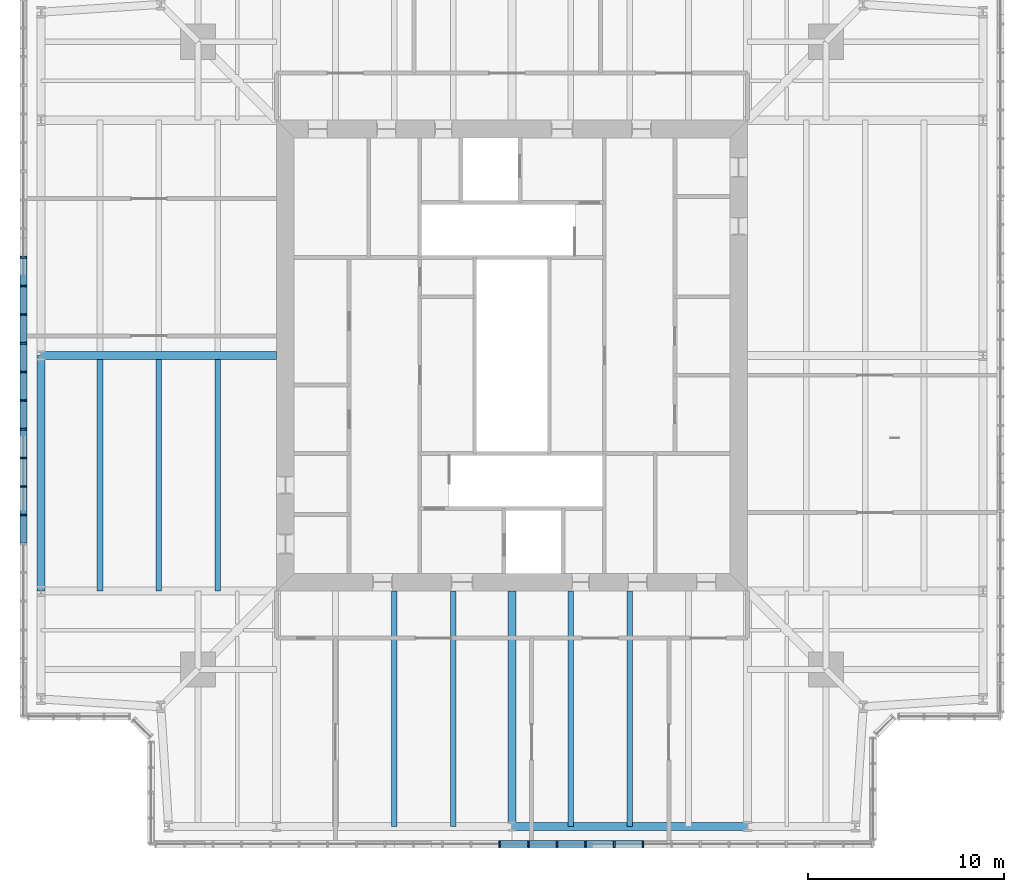
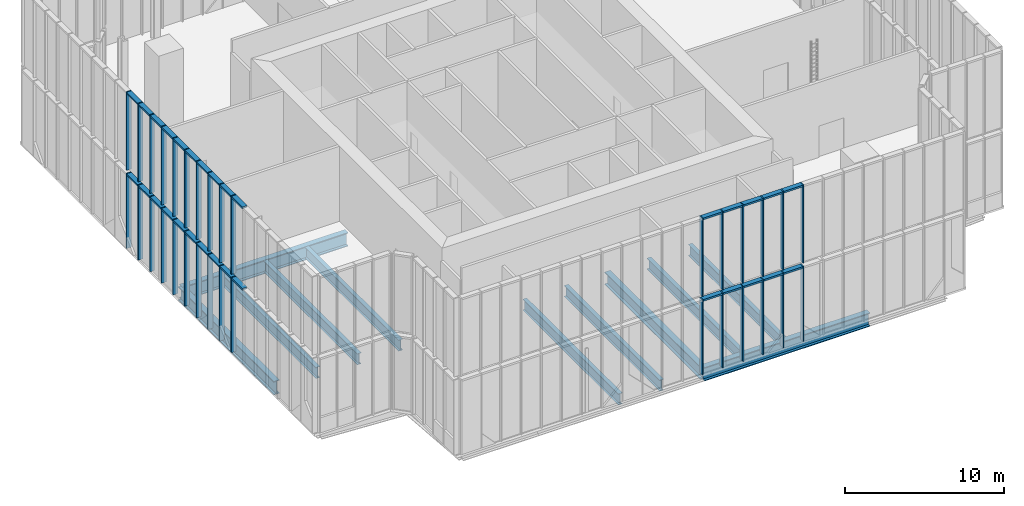
# One storey, part 4 of 25: 62 members, 11 beams, 4 elements without a shape of their own.
"""IFC4 building model written with IfcOpenShell, lengths in metres."""

from ifc_helpers import new_model, si_unit, direction, frame, origin, origin_2d, place, context, subcontext, project, spatial, rectangle, i_section, extrude, material, material_profile, profile_set, type_object, element, aggregate, save


model = new_model("IFC4")

# Units and contexts
model_context = context("Model", 3, precision=1e-05, world=origin(), true_north=direction((0.0, 1.0)))
body_context = subcontext(model_context, "Body", "Model", "MODEL_VIEW")
ifc_project = project(units=[si_unit("LENGTHUNIT", "METRE"), si_unit("AREAUNIT", "SQUARE_METRE"), si_unit("VOLUMEUNIT", "CUBIC_METRE"), si_unit("PLANEANGLEUNIT", "RADIAN"), si_unit("MASSUNIT", "GRAM", prefix="KILO")], contexts=[model_context])

# Site, building, storey
site_placement = place(None, origin())
site = spatial("IfcSite", under=ifc_project, at=site_placement, CompositionType="ELEMENT")
building_placement = place(site_placement, origin())
building = spatial("IfcBuilding", under=site, at=building_placement, Name="Fenwick Lantern Interchange", CompositionType="ELEMENT")
storey_placement = place(building_placement, frame((0.0, 0.0, 307.800048828125)))
storey = spatial("IfcBuildingStorey", under=building, at=storey_placement, Name="L74", CompositionType="ELEMENT", Elevation=307.800048828125)

# Beams
ifc_material_1 = material(Name="Steel ASTM A992 Grade 50", Category="steel")
ifc_material_profile_1 = material_profile(ifc_material_1, i_section(OverallWidth=0.408935546875, OverallDepth=1.04150390625, WebThickness=0.031005859375, FlangeThickness=0.055908203125, at=origin_2d()), Name="W40X397")
ifc_profile_set_1 = profile_set([ifc_material_profile_1], Name="Steel ASTM A992 Grade 50")
beam_type_1 = type_object("IfcBeamType", Name="EDGE BEAM W40X397", PredefinedType="SPANDREL", material=ifc_profile_set_1)
for number, where, z_axis, x_axis, name in (
    (1, (25.0, 1.0, -0.720703125), (1.0, 0.0, 0.0), (0.0, 1.0, 0.0), "L74/FR/S/EB3"),
    (2, (1.0, 25.0, -0.720703125), (0.0, -1.0, 0.0), (1.0, 0.0, 0.0), "L74/FR/W/EB3"),
):
    element("IfcBeam", number, at=place(storey_placement, frame(where, z_axis=z_axis, x_axis=x_axis)), inside=storey, type_object=beam_type_1, Name=name, PredefinedType="SPANDREL", context=body_context, shape_type="SweptSolid", body=[
        extrude(i_section(OverallWidth=0.408935546875, OverallDepth=1.04150390625, WebThickness=0.031005859375, FlangeThickness=0.055908203125, at=origin_2d()), origin(), (0.0, 0.0, 1.0), 12.0),
    ])
ifc_material_profile_2 = material_profile(ifc_material_1, i_section(OverallWidth=0.2919921875, OverallDepth=0.845703125, WebThickness=0.015380859375, FlangeThickness=0.0244140625, at=origin_2d()), Name="W33X141")
ifc_profile_set_2 = profile_set([ifc_material_profile_2], Name="Steel ASTM A992 Grade 50")
beam_type_2 = type_object("IfcBeamType", Name="FLOOR BEAM W33X141", PredefinedType="BEAM", material=ifc_profile_set_2)
for number, where, z_axis, x_axis, name in (
    (3, (19.0, 1.0, -0.623046875), (0.0, 1.0, 0.0), (-1.0, 0.0, 0.0), "L74/FR/S/R03"),
    (4, (22.0, 1.0, -0.623046875), (0.0, 1.0, 0.0), (-1.0, 0.0, 0.0), "L74/FR/S/R04"),
    (5, (28.0, 1.0, -0.623046875), (0.0, 1.0, 0.0), (-1.0, 0.0, 0.0), "L74/FR/S/R06"),
    (6, (31.0, 1.0, -0.623046875), (0.0, 1.0, 0.0), (-1.0, 0.0, 0.0), "L74/FR/S/R07"),
):
    element("IfcBeam", number, at=place(storey_placement, frame(where, z_axis=z_axis, x_axis=x_axis)), inside=storey, type_object=beam_type_2, Name=name, PredefinedType="BEAM", context=body_context, shape_type="SweptSolid", body=[
        extrude(i_section(OverallWidth=0.2919921875, OverallDepth=0.845703125, WebThickness=0.015380859375, FlangeThickness=0.0244140625, at=origin_2d()), origin(), (0.0, 0.0, 1.0), 12.0),
    ])
for number, where, z_axis, x_axis, name in (
    (7, (4.0, 24.79541015625, -0.623046875), (0.0, -1.0, 0.0), (1.0, 0.0, 0.0), "L74/FR/W/B04"),
    (8, (7.0, 24.79541015625, -0.623046875), (0.0, -1.0, 0.0), (1.0, 0.0, 0.0), "L74/FR/W/B05"),
    (9, (10.0, 24.79541015625, -0.623046875), (0.0, -1.0, 0.0), (1.0, 0.0, 0.0), "L74/FR/W/B06"),
):
    element("IfcBeam", number, at=place(storey_placement, frame(where, z_axis=z_axis, x_axis=x_axis)), inside=storey, type_object=beam_type_2, Name=name, PredefinedType="BEAM", context=body_context, shape_type="SweptSolid", body=[
        extrude(i_section(OverallWidth=0.2919921875, OverallDepth=0.845703125, WebThickness=0.015380859375, FlangeThickness=0.0244140625, at=origin_2d()), origin(), (0.0, 0.0, 1.0), 11.79541015625),
    ])

# Curtain wall, members
ifc_material_2 = material(Name="Aluminium curtain wall frame", Category="aluminium")
curtain_wall_type = type_object("IfcCurtainWallType", Name="LANTERN GLAZING", PredefinedType="USERDEFINED", material=ifc_material_2)
curtain_wall_1_placement = place(storey_placement, origin())
curtain_wall_1 = element("IfcCurtainWall", 10, at=curtain_wall_1_placement, inside=storey, type_object=curtain_wall_type, Name="Lantern glazing 01", ObjectType="LANTERN GLAZING", PredefinedType="USERDEFINED")
ifc_material_3 = material(Name="Aluminium extrusion", Category="aluminium")
ifc_material_profile_3 = material_profile(ifc_material_3, rectangle(XDim=0.35009765625, YDim=0.080078125, at=origin_2d()), Name="LANTERN GLAZING MULLION 80 X 350")
ifc_profile_set_3 = profile_set([ifc_material_profile_3], Name="Aluminium extrusion")
member_type_1 = type_object("IfcMemberType", Name="LANTERN GLAZING MULLION 80 X 350", PredefinedType="MULLION", material=ifc_profile_set_3)
member_1_placement = place(storey_placement, frame((24.36962890625, 0.10009765625, 0.0), z_axis=(0.0, 0.0, 1.0), x_axis=(0.0, 1.0, 0.0)))
member_1 = element("IfcMember", 11, at=member_1_placement, type_object=member_type_1, Name="L74/CW/01/M12", PredefinedType="MULLION", context=body_context, shape_type="SweptSolid", body=[
    extrude(rectangle(XDim=0.35009765625, YDim=0.080078125, at=origin_2d()), origin(), (0.0, 0.0, 1.0), 5.75),
])
member_2_placement = place(storey_placement, frame((25.830322265625, 0.10009765625, 0.0), z_axis=(0.0, 0.0, 1.0), x_axis=(0.0, 1.0, 0.0)))
member_2 = element("IfcMember", 12, at=member_2_placement, type_object=member_type_1, Name="L74/CW/01/M13", PredefinedType="MULLION", context=body_context, shape_type="SweptSolid", body=[
    extrude(rectangle(XDim=0.35009765625, YDim=0.080078125, at=origin_2d()), origin(), (0.0, 0.0, 1.0), 5.75),
])
member_3_placement = place(storey_placement, frame((27.291259765625, 0.10009765625, 0.0), z_axis=(0.0, 0.0, 1.0), x_axis=(0.0, 1.0, 0.0)))
member_3 = element("IfcMember", 13, at=member_3_placement, type_object=member_type_1, Name="L74/CW/01/M14", PredefinedType="MULLION", context=body_context, shape_type="SweptSolid", body=[
    extrude(rectangle(XDim=0.35009765625, YDim=0.080078125, at=origin_2d()), origin(), (0.0, 0.0, 1.0), 5.75),
])
member_4_placement = place(storey_placement, frame((28.751953125, 0.10009765625, 0.0), z_axis=(0.0, 0.0, 1.0), x_axis=(0.0, 1.0, 0.0)))
member_4 = element("IfcMember", 14, at=member_4_placement, type_object=member_type_1, Name="L74/CW/01/M15", PredefinedType="MULLION", context=body_context, shape_type="SweptSolid", body=[
    extrude(rectangle(XDim=0.35009765625, YDim=0.080078125, at=origin_2d()), origin(), (0.0, 0.0, 1.0), 5.75),
])
member_5_placement = place(storey_placement, frame((30.212890625, 0.10009765625, 0.0), z_axis=(0.0, 0.0, 1.0), x_axis=(0.0, 1.0, 0.0)))
member_5 = element("IfcMember", 15, at=member_5_placement, type_object=member_type_1, Name="L74/CW/01/M16", PredefinedType="MULLION", context=body_context, shape_type="SweptSolid", body=[
    extrude(rectangle(XDim=0.35009765625, YDim=0.080078125, at=origin_2d()), origin(), (0.0, 0.0, 1.0), 5.75),
])
member_6_placement = place(storey_placement, frame((31.673583984375, 0.10009765625, 0.0), z_axis=(0.0, 0.0, 1.0), x_axis=(0.0, 1.0, 0.0)))
member_6 = element("IfcMember", 16, at=member_6_placement, type_object=member_type_1, Name="L74/CW/01/M17", PredefinedType="MULLION", context=body_context, shape_type="SweptSolid", body=[
    extrude(rectangle(XDim=0.35009765625, YDim=0.080078125, at=origin_2d()), origin(), (0.0, 0.0, 1.0), 5.75),
])

curtain_wall_2_placement = place(storey_placement, origin())
curtain_wall_2 = element("IfcCurtainWall", 17, at=curtain_wall_2_placement, inside=storey, type_object=curtain_wall_type, Name="Lantern glazing 13", ObjectType="LANTERN GLAZING", PredefinedType="USERDEFINED")
member_7_placement = place(storey_placement, frame((0.10009765625, 30.0126953125, 0.0), z_axis=(0.0, 0.0, 1.0), x_axis=(1.0, 0.0, 0.0)))
member_7 = element("IfcMember", 18, at=member_7_placement, type_object=member_type_1, Name="L74/CW/13/M09", PredefinedType="MULLION", context=body_context, shape_type="SweptSolid", body=[
    extrude(rectangle(XDim=0.35009765625, YDim=0.080078125, at=origin_2d()), origin(), (0.0, 0.0, 1.0), 5.75),
])
member_8_placement = place(storey_placement, frame((0.10009765625, 28.552001953125, 0.0), z_axis=(0.0, 0.0, 1.0), x_axis=(1.0, 0.0, 0.0)))
member_8 = element("IfcMember", 19, at=member_8_placement, type_object=member_type_1, Name="L74/CW/13/M10", PredefinedType="MULLION", context=body_context, shape_type="SweptSolid", body=[
    extrude(rectangle(XDim=0.35009765625, YDim=0.080078125, at=origin_2d()), origin(), (0.0, 0.0, 1.0), 5.75),
])
member_9_placement = place(storey_placement, frame((0.10009765625, 27.09130859375, 0.0), z_axis=(0.0, 0.0, 1.0), x_axis=(1.0, 0.0, 0.0)))
member_9 = element("IfcMember", 20, at=member_9_placement, type_object=member_type_1, Name="L74/CW/13/M11", PredefinedType="MULLION", context=body_context, shape_type="SweptSolid", body=[
    extrude(rectangle(XDim=0.35009765625, YDim=0.080078125, at=origin_2d()), origin(), (0.0, 0.0, 1.0), 5.75),
])
member_10_placement = place(storey_placement, frame((0.10009765625, 25.63037109375, 0.0), z_axis=(0.0, 0.0, 1.0), x_axis=(1.0, 0.0, 0.0)))
member_10 = element("IfcMember", 21, at=member_10_placement, type_object=member_type_1, Name="L74/CW/13/M12", PredefinedType="MULLION", context=body_context, shape_type="SweptSolid", body=[
    extrude(rectangle(XDim=0.35009765625, YDim=0.080078125, at=origin_2d()), origin(), (0.0, 0.0, 1.0), 5.75),
])
member_11_placement = place(storey_placement, frame((0.10009765625, 24.169677734375, 0.0), z_axis=(0.0, 0.0, 1.0), x_axis=(1.0, 0.0, 0.0)))
member_11 = element("IfcMember", 22, at=member_11_placement, type_object=member_type_1, Name="L74/CW/13/M13", PredefinedType="MULLION", context=body_context, shape_type="SweptSolid", body=[
    extrude(rectangle(XDim=0.35009765625, YDim=0.080078125, at=origin_2d()), origin(), (0.0, 0.0, 1.0), 5.75),
])
member_12_placement = place(storey_placement, frame((0.10009765625, 22.708740234375, 0.0), z_axis=(0.0, 0.0, 1.0), x_axis=(1.0, 0.0, 0.0)))
member_12 = element("IfcMember", 23, at=member_12_placement, type_object=member_type_1, Name="L74/CW/13/M14", PredefinedType="MULLION", context=body_context, shape_type="SweptSolid", body=[
    extrude(rectangle(XDim=0.35009765625, YDim=0.080078125, at=origin_2d()), origin(), (0.0, 0.0, 1.0), 5.75),
])
member_13_placement = place(storey_placement, frame((0.10009765625, 21.248046875, 0.0), z_axis=(0.0, 0.0, 1.0), x_axis=(1.0, 0.0, 0.0)))
member_13 = element("IfcMember", 24, at=member_13_placement, type_object=member_type_1, Name="L74/CW/13/M15", PredefinedType="MULLION", context=body_context, shape_type="SweptSolid", body=[
    extrude(rectangle(XDim=0.35009765625, YDim=0.080078125, at=origin_2d()), origin(), (0.0, 0.0, 1.0), 5.75),
])
member_14_placement = place(storey_placement, frame((0.10009765625, 19.787109375, 0.0), z_axis=(0.0, 0.0, 1.0), x_axis=(1.0, 0.0, 0.0)))
member_14 = element("IfcMember", 25, at=member_14_placement, type_object=member_type_1, Name="L74/CW/13/M16", PredefinedType="MULLION", context=body_context, shape_type="SweptSolid", body=[
    extrude(rectangle(XDim=0.35009765625, YDim=0.080078125, at=origin_2d()), origin(), (0.0, 0.0, 1.0), 5.75),
])
member_15_placement = place(storey_placement, frame((0.10009765625, 18.326416015625, 0.0), z_axis=(0.0, 0.0, 1.0), x_axis=(1.0, 0.0, 0.0)))
member_15 = element("IfcMember", 26, at=member_15_placement, type_object=member_type_1, Name="L74/CW/13/M17", PredefinedType="MULLION", context=body_context, shape_type="SweptSolid", body=[
    extrude(rectangle(XDim=0.35009765625, YDim=0.080078125, at=origin_2d()), origin(), (0.0, 0.0, 1.0), 5.75),
])
member_16_placement = place(storey_placement, frame((0.10009765625, 16.865478515625, 0.0), z_axis=(0.0, 0.0, 1.0), x_axis=(1.0, 0.0, 0.0)))
member_16 = element("IfcMember", 27, at=member_16_placement, type_object=member_type_1, Name="L74/CW/13/M18", PredefinedType="MULLION", context=body_context, shape_type="SweptSolid", body=[
    extrude(rectangle(XDim=0.35009765625, YDim=0.080078125, at=origin_2d()), origin(), (0.0, 0.0, 1.0), 5.75),
])

curtain_wall_3_placement = place(storey_placement, origin())
curtain_wall_3 = element("IfcCurtainWall", 28, at=curtain_wall_3_placement, inside=storey, type_object=curtain_wall_type, Name="Lantern glazing 01", ObjectType="LANTERN GLAZING", PredefinedType="USERDEFINED")
member_17_placement = place(storey_placement, frame((24.36962890625, 0.10009765625, 6.0), z_axis=(0.0, 0.0, 1.0), x_axis=(0.0, 1.0, 0.0)))
member_17 = element("IfcMember", 29, at=member_17_placement, type_object=member_type_1, Name="RF/LANTERN/01/M12", PredefinedType="MULLION", context=body_context, shape_type="SweptSolid", body=[
    extrude(rectangle(XDim=0.35009765625, YDim=0.080078125, at=origin_2d()), origin(), (0.0, 0.0, 1.0), 6.0),
])
member_18_placement = place(storey_placement, frame((25.830322265625, 0.10009765625, 6.0), z_axis=(0.0, 0.0, 1.0), x_axis=(0.0, 1.0, 0.0)))
member_18 = element("IfcMember", 30, at=member_18_placement, type_object=member_type_1, Name="RF/LANTERN/01/M13", PredefinedType="MULLION", context=body_context, shape_type="SweptSolid", body=[
    extrude(rectangle(XDim=0.35009765625, YDim=0.080078125, at=origin_2d()), origin(), (0.0, 0.0, 1.0), 6.0),
])
member_19_placement = place(storey_placement, frame((27.291259765625, 0.10009765625, 6.0), z_axis=(0.0, 0.0, 1.0), x_axis=(0.0, 1.0, 0.0)))
member_19 = element("IfcMember", 31, at=member_19_placement, type_object=member_type_1, Name="RF/LANTERN/01/M14", PredefinedType="MULLION", context=body_context, shape_type="SweptSolid", body=[
    extrude(rectangle(XDim=0.35009765625, YDim=0.080078125, at=origin_2d()), origin(), (0.0, 0.0, 1.0), 6.0),
])
member_20_placement = place(storey_placement, frame((28.751953125, 0.10009765625, 6.0), z_axis=(0.0, 0.0, 1.0), x_axis=(0.0, 1.0, 0.0)))
member_20 = element("IfcMember", 32, at=member_20_placement, type_object=member_type_1, Name="RF/LANTERN/01/M15", PredefinedType="MULLION", context=body_context, shape_type="SweptSolid", body=[
    extrude(rectangle(XDim=0.35009765625, YDim=0.080078125, at=origin_2d()), origin(), (0.0, 0.0, 1.0), 6.0),
])
member_21_placement = place(storey_placement, frame((30.212890625, 0.10009765625, 6.0), z_axis=(0.0, 0.0, 1.0), x_axis=(0.0, 1.0, 0.0)))
member_21 = element("IfcMember", 33, at=member_21_placement, type_object=member_type_1, Name="RF/LANTERN/01/M16", PredefinedType="MULLION", context=body_context, shape_type="SweptSolid", body=[
    extrude(rectangle(XDim=0.35009765625, YDim=0.080078125, at=origin_2d()), origin(), (0.0, 0.0, 1.0), 6.0),
])
member_22_placement = place(storey_placement, frame((31.673583984375, 0.10009765625, 6.0), z_axis=(0.0, 0.0, 1.0), x_axis=(0.0, 1.0, 0.0)))
member_22 = element("IfcMember", 34, at=member_22_placement, type_object=member_type_1, Name="RF/LANTERN/01/M17", PredefinedType="MULLION", context=body_context, shape_type="SweptSolid", body=[
    extrude(rectangle(XDim=0.35009765625, YDim=0.080078125, at=origin_2d()), origin(), (0.0, 0.0, 1.0), 6.0),
])

curtain_wall_4_placement = place(storey_placement, origin())
curtain_wall_4 = element("IfcCurtainWall", 35, at=curtain_wall_4_placement, inside=storey, type_object=curtain_wall_type, Name="Lantern glazing 13", ObjectType="LANTERN GLAZING", PredefinedType="USERDEFINED")
member_23_placement = place(storey_placement, frame((0.10009765625, 30.0126953125, 6.0), z_axis=(0.0, 0.0, 1.0), x_axis=(1.0, 0.0, 0.0)))
member_23 = element("IfcMember", 36, at=member_23_placement, type_object=member_type_1, Name="RF/LANTERN/13/M09", PredefinedType="MULLION", context=body_context, shape_type="SweptSolid", body=[
    extrude(rectangle(XDim=0.35009765625, YDim=0.080078125, at=origin_2d()), origin(), (0.0, 0.0, 1.0), 6.0),
])
member_24_placement = place(storey_placement, frame((0.10009765625, 28.552001953125, 6.0), z_axis=(0.0, 0.0, 1.0), x_axis=(1.0, 0.0, 0.0)))
member_24 = element("IfcMember", 37, at=member_24_placement, type_object=member_type_1, Name="RF/LANTERN/13/M10", PredefinedType="MULLION", context=body_context, shape_type="SweptSolid", body=[
    extrude(rectangle(XDim=0.35009765625, YDim=0.080078125, at=origin_2d()), origin(), (0.0, 0.0, 1.0), 6.0),
])
member_25_placement = place(storey_placement, frame((0.10009765625, 27.09130859375, 6.0), z_axis=(0.0, 0.0, 1.0), x_axis=(1.0, 0.0, 0.0)))
member_25 = element("IfcMember", 38, at=member_25_placement, type_object=member_type_1, Name="RF/LANTERN/13/M11", PredefinedType="MULLION", context=body_context, shape_type="SweptSolid", body=[
    extrude(rectangle(XDim=0.35009765625, YDim=0.080078125, at=origin_2d()), origin(), (0.0, 0.0, 1.0), 6.0),
])
member_26_placement = place(storey_placement, frame((0.10009765625, 25.63037109375, 6.0), z_axis=(0.0, 0.0, 1.0), x_axis=(1.0, 0.0, 0.0)))
member_26 = element("IfcMember", 39, at=member_26_placement, type_object=member_type_1, Name="RF/LANTERN/13/M12", PredefinedType="MULLION", context=body_context, shape_type="SweptSolid", body=[
    extrude(rectangle(XDim=0.35009765625, YDim=0.080078125, at=origin_2d()), origin(), (0.0, 0.0, 1.0), 6.0),
])
member_27_placement = place(storey_placement, frame((0.10009765625, 24.169677734375, 6.0), z_axis=(0.0, 0.0, 1.0), x_axis=(1.0, 0.0, 0.0)))
member_27 = element("IfcMember", 40, at=member_27_placement, type_object=member_type_1, Name="RF/LANTERN/13/M13", PredefinedType="MULLION", context=body_context, shape_type="SweptSolid", body=[
    extrude(rectangle(XDim=0.35009765625, YDim=0.080078125, at=origin_2d()), origin(), (0.0, 0.0, 1.0), 6.0),
])
member_28_placement = place(storey_placement, frame((0.10009765625, 22.708740234375, 6.0), z_axis=(0.0, 0.0, 1.0), x_axis=(1.0, 0.0, 0.0)))
member_28 = element("IfcMember", 41, at=member_28_placement, type_object=member_type_1, Name="RF/LANTERN/13/M14", PredefinedType="MULLION", context=body_context, shape_type="SweptSolid", body=[
    extrude(rectangle(XDim=0.35009765625, YDim=0.080078125, at=origin_2d()), origin(), (0.0, 0.0, 1.0), 6.0),
])
member_29_placement = place(storey_placement, frame((0.10009765625, 21.248046875, 6.0), z_axis=(0.0, 0.0, 1.0), x_axis=(1.0, 0.0, 0.0)))
member_29 = element("IfcMember", 42, at=member_29_placement, type_object=member_type_1, Name="RF/LANTERN/13/M15", PredefinedType="MULLION", context=body_context, shape_type="SweptSolid", body=[
    extrude(rectangle(XDim=0.35009765625, YDim=0.080078125, at=origin_2d()), origin(), (0.0, 0.0, 1.0), 6.0),
])
member_30_placement = place(storey_placement, frame((0.10009765625, 19.787109375, 6.0), z_axis=(0.0, 0.0, 1.0), x_axis=(1.0, 0.0, 0.0)))
member_30 = element("IfcMember", 43, at=member_30_placement, type_object=member_type_1, Name="RF/LANTERN/13/M16", PredefinedType="MULLION", context=body_context, shape_type="SweptSolid", body=[
    extrude(rectangle(XDim=0.35009765625, YDim=0.080078125, at=origin_2d()), origin(), (0.0, 0.0, 1.0), 6.0),
])
member_31_placement = place(storey_placement, frame((0.10009765625, 18.326416015625, 6.0), z_axis=(0.0, 0.0, 1.0), x_axis=(1.0, 0.0, 0.0)))
member_31 = element("IfcMember", 44, at=member_31_placement, type_object=member_type_1, Name="RF/LANTERN/13/M17", PredefinedType="MULLION", context=body_context, shape_type="SweptSolid", body=[
    extrude(rectangle(XDim=0.35009765625, YDim=0.080078125, at=origin_2d()), origin(), (0.0, 0.0, 1.0), 6.0),
])
member_32_placement = place(storey_placement, frame((0.10009765625, 16.865478515625, 6.0), z_axis=(0.0, 0.0, 1.0), x_axis=(1.0, 0.0, 0.0)))
member_32 = element("IfcMember", 45, at=member_32_placement, type_object=member_type_1, Name="RF/LANTERN/13/M18", PredefinedType="MULLION", context=body_context, shape_type="SweptSolid", body=[
    extrude(rectangle(XDim=0.35009765625, YDim=0.080078125, at=origin_2d()), origin(), (0.0, 0.0, 1.0), 6.0),
])

# Member
ifc_material_profile_4 = material_profile(ifc_material_3, rectangle(XDim=0.35009765625, YDim=0.139892578125, at=origin_2d()), Name="LANTERN GLAZING TRANSOM 140 X 350")
ifc_profile_set_4 = profile_set([ifc_material_profile_4], Name="Aluminium extrusion")
member_type_2 = type_object("IfcMemberType", Name="LANTERN GLAZING TRANSOM 140 X 350", PredefinedType="MULLION", material=ifc_profile_set_4)
member_33_placement = place(storey_placement, frame((24.40966796875, 0.10009765625, 5.679931640625), z_axis=(1.0, 0.0, 0.0), x_axis=(0.0, 1.0, 0.0)))
member_33 = element("IfcMember", 46, at=member_33_placement, type_object=member_type_2, Name="L74/CW/01/T12", PredefinedType="MULLION", context=body_context, shape_type="SweptSolid", body=[
    extrude(rectangle(XDim=0.35009765625, YDim=0.139892578125, at=origin_2d()), origin(), (0.0, 0.0, 1.0), 1.380615234375),
])

member_34_placement = place(storey_placement, frame((25.870361328125, 0.10009765625, 5.679931640625), z_axis=(1.0, 0.0, 0.0), x_axis=(0.0, 1.0, 0.0)))
member_34 = element("IfcMember", 47, at=member_34_placement, type_object=member_type_2, Name="L74/CW/01/T13", PredefinedType="MULLION", context=body_context, shape_type="SweptSolid", body=[
    extrude(rectangle(XDim=0.35009765625, YDim=0.139892578125, at=origin_2d()), origin(), (0.0, 0.0, 1.0), 1.380859375),
])

member_35_placement = place(storey_placement, frame((27.331298828125, 0.10009765625, 5.679931640625), z_axis=(1.0, 0.0, 0.0), x_axis=(0.0, 1.0, 0.0)))
member_35 = element("IfcMember", 48, at=member_35_placement, type_object=member_type_2, Name="L74/CW/01/T14", PredefinedType="MULLION", context=body_context, shape_type="SweptSolid", body=[
    extrude(rectangle(XDim=0.35009765625, YDim=0.139892578125, at=origin_2d()), origin(), (0.0, 0.0, 1.0), 1.380615234375),
])

member_36_placement = place(storey_placement, frame((28.7919921875, 0.10009765625, 5.679931640625), z_axis=(1.0, 0.0, 0.0), x_axis=(0.0, 1.0, 0.0)))
member_36 = element("IfcMember", 49, at=member_36_placement, type_object=member_type_2, Name="L74/CW/01/T15", PredefinedType="MULLION", context=body_context, shape_type="SweptSolid", body=[
    extrude(rectangle(XDim=0.35009765625, YDim=0.139892578125, at=origin_2d()), origin(), (0.0, 0.0, 1.0), 1.380859375),
])

member_37_placement = place(storey_placement, frame((30.252685546875, 0.10009765625, 5.679931640625), z_axis=(1.0, 0.0, 0.0), x_axis=(0.0, 1.0, 0.0)))
member_37 = element("IfcMember", 50, at=member_37_placement, type_object=member_type_2, Name="L74/CW/01/T16", PredefinedType="MULLION", context=body_context, shape_type="SweptSolid", body=[
    extrude(rectangle(XDim=0.35009765625, YDim=0.139892578125, at=origin_2d()), origin(), (0.0, 0.0, 1.0), 1.380859375),
])

aggregate(curtain_wall_1, [member_1, member_2, member_3, member_4, member_5, member_6, member_33, member_34, member_35, member_36, member_37])

member_38_placement = place(storey_placement, frame((0.10009765625, 29.972900390625, 5.679931640625), z_axis=(0.0, -1.0, 0.0), x_axis=(1.0, 0.0, 0.0)))
member_38 = element("IfcMember", 51, at=member_38_placement, type_object=member_type_2, Name="L74/CW/13/T09", PredefinedType="MULLION", context=body_context, shape_type="SweptSolid", body=[
    extrude(rectangle(XDim=0.35009765625, YDim=0.139892578125, at=origin_2d()), origin(), (0.0, 0.0, 1.0), 1.380859375),
])

member_39_placement = place(storey_placement, frame((0.10009765625, 28.511962890625, 5.679931640625), z_axis=(0.0, -1.0, 0.0), x_axis=(1.0, 0.0, 0.0)))
member_39 = element("IfcMember", 52, at=member_39_placement, type_object=member_type_2, Name="L74/CW/13/T10", PredefinedType="MULLION", context=body_context, shape_type="SweptSolid", body=[
    extrude(rectangle(XDim=0.35009765625, YDim=0.139892578125, at=origin_2d()), origin(), (0.0, 0.0, 1.0), 1.380859375),
])

member_40_placement = place(storey_placement, frame((0.10009765625, 27.05126953125, 5.679931640625), z_axis=(0.0, -1.0, 0.0), x_axis=(1.0, 0.0, 0.0)))
member_40 = element("IfcMember", 53, at=member_40_placement, type_object=member_type_2, Name="L74/CW/13/T11", PredefinedType="MULLION", context=body_context, shape_type="SweptSolid", body=[
    extrude(rectangle(XDim=0.35009765625, YDim=0.139892578125, at=origin_2d()), origin(), (0.0, 0.0, 1.0), 1.380859375),
])

member_41_placement = place(storey_placement, frame((0.10009765625, 25.59033203125, 5.679931640625), z_axis=(0.0, -1.0, 0.0), x_axis=(1.0, 0.0, 0.0)))
member_41 = element("IfcMember", 54, at=member_41_placement, type_object=member_type_2, Name="L74/CW/13/T12", PredefinedType="MULLION", context=body_context, shape_type="SweptSolid", body=[
    extrude(rectangle(XDim=0.35009765625, YDim=0.139892578125, at=origin_2d()), origin(), (0.0, 0.0, 1.0), 1.380615234375),
])

member_42_placement = place(storey_placement, frame((0.10009765625, 24.129638671875, 5.679931640625), z_axis=(0.0, -1.0, 0.0), x_axis=(1.0, 0.0, 0.0)))
member_42 = element("IfcMember", 55, at=member_42_placement, type_object=member_type_2, Name="L74/CW/13/T13", PredefinedType="MULLION", context=body_context, shape_type="SweptSolid", body=[
    extrude(rectangle(XDim=0.35009765625, YDim=0.139892578125, at=origin_2d()), origin(), (0.0, 0.0, 1.0), 1.380859375),
])

member_43_placement = place(storey_placement, frame((0.10009765625, 22.668701171875, 5.679931640625), z_axis=(0.0, -1.0, 0.0), x_axis=(1.0, 0.0, 0.0)))
member_43 = element("IfcMember", 56, at=member_43_placement, type_object=member_type_2, Name="L74/CW/13/T14", PredefinedType="MULLION", context=body_context, shape_type="SweptSolid", body=[
    extrude(rectangle(XDim=0.35009765625, YDim=0.139892578125, at=origin_2d()), origin(), (0.0, 0.0, 1.0), 1.380615234375),
])

member_44_placement = place(storey_placement, frame((0.10009765625, 21.2080078125, 5.679931640625), z_axis=(0.0, -1.0, 0.0), x_axis=(1.0, 0.0, 0.0)))
member_44 = element("IfcMember", 57, at=member_44_placement, type_object=member_type_2, Name="L74/CW/13/T15", PredefinedType="MULLION", context=body_context, shape_type="SweptSolid", body=[
    extrude(rectangle(XDim=0.35009765625, YDim=0.139892578125, at=origin_2d()), origin(), (0.0, 0.0, 1.0), 1.380859375),
])

member_45_placement = place(storey_placement, frame((0.10009765625, 19.747314453125, 5.679931640625), z_axis=(0.0, -1.0, 0.0), x_axis=(1.0, 0.0, 0.0)))
member_45 = element("IfcMember", 58, at=member_45_placement, type_object=member_type_2, Name="L74/CW/13/T16", PredefinedType="MULLION", context=body_context, shape_type="SweptSolid", body=[
    extrude(rectangle(XDim=0.35009765625, YDim=0.139892578125, at=origin_2d()), origin(), (0.0, 0.0, 1.0), 1.380859375),
])

member_46_placement = place(storey_placement, frame((0.10009765625, 18.286376953125, 5.679931640625), z_axis=(0.0, -1.0, 0.0), x_axis=(1.0, 0.0, 0.0)))
member_46 = element("IfcMember", 59, at=member_46_placement, type_object=member_type_2, Name="L74/CW/13/T17", PredefinedType="MULLION", context=body_context, shape_type="SweptSolid", body=[
    extrude(rectangle(XDim=0.35009765625, YDim=0.139892578125, at=origin_2d()), origin(), (0.0, 0.0, 1.0), 1.380859375),
])

member_47_placement = place(storey_placement, frame((0.10009765625, 16.82568359375, 5.679931640625), z_axis=(0.0, -1.0, 0.0), x_axis=(1.0, 0.0, 0.0)))
member_47 = element("IfcMember", 60, at=member_47_placement, type_object=member_type_2, Name="L74/CW/13/T18", PredefinedType="MULLION", context=body_context, shape_type="SweptSolid", body=[
    extrude(rectangle(XDim=0.35009765625, YDim=0.139892578125, at=origin_2d()), origin(), (0.0, 0.0, 1.0), 1.380859375),
])

aggregate(curtain_wall_2, [member_7, member_8, member_9, member_10, member_11, member_12, member_13, member_14, member_15, member_16, member_38, member_39, member_40, member_41, member_42, member_43, member_44, member_45, member_46, member_47])

member_48_placement = place(storey_placement, frame((24.40966796875, 0.10009765625, 11.929931640625), z_axis=(1.0, 0.0, 0.0), x_axis=(0.0, 1.0, 0.0)))
member_48 = element("IfcMember", 61, at=member_48_placement, type_object=member_type_2, Name="RF/LANTERN/01/T12", PredefinedType="MULLION", context=body_context, shape_type="SweptSolid", body=[
    extrude(rectangle(XDim=0.35009765625, YDim=0.139892578125, at=origin_2d()), origin(), (0.0, 0.0, 1.0), 1.380615234375),
])

member_49_placement = place(storey_placement, frame((25.870361328125, 0.10009765625, 11.929931640625), z_axis=(1.0, 0.0, 0.0), x_axis=(0.0, 1.0, 0.0)))
member_49 = element("IfcMember", 62, at=member_49_placement, type_object=member_type_2, Name="RF/LANTERN/01/T13", PredefinedType="MULLION", context=body_context, shape_type="SweptSolid", body=[
    extrude(rectangle(XDim=0.35009765625, YDim=0.139892578125, at=origin_2d()), origin(), (0.0, 0.0, 1.0), 1.380859375),
])

member_50_placement = place(storey_placement, frame((27.331298828125, 0.10009765625, 11.929931640625), z_axis=(1.0, 0.0, 0.0), x_axis=(0.0, 1.0, 0.0)))
member_50 = element("IfcMember", 63, at=member_50_placement, type_object=member_type_2, Name="RF/LANTERN/01/T14", PredefinedType="MULLION", context=body_context, shape_type="SweptSolid", body=[
    extrude(rectangle(XDim=0.35009765625, YDim=0.139892578125, at=origin_2d()), origin(), (0.0, 0.0, 1.0), 1.380615234375),
])

member_51_placement = place(storey_placement, frame((28.7919921875, 0.10009765625, 11.929931640625), z_axis=(1.0, 0.0, 0.0), x_axis=(0.0, 1.0, 0.0)))
member_51 = element("IfcMember", 64, at=member_51_placement, type_object=member_type_2, Name="RF/LANTERN/01/T15", PredefinedType="MULLION", context=body_context, shape_type="SweptSolid", body=[
    extrude(rectangle(XDim=0.35009765625, YDim=0.139892578125, at=origin_2d()), origin(), (0.0, 0.0, 1.0), 1.380859375),
])

member_52_placement = place(storey_placement, frame((30.252685546875, 0.10009765625, 11.929931640625), z_axis=(1.0, 0.0, 0.0), x_axis=(0.0, 1.0, 0.0)))
member_52 = element("IfcMember", 65, at=member_52_placement, type_object=member_type_2, Name="RF/LANTERN/01/T16", PredefinedType="MULLION", context=body_context, shape_type="SweptSolid", body=[
    extrude(rectangle(XDim=0.35009765625, YDim=0.139892578125, at=origin_2d()), origin(), (0.0, 0.0, 1.0), 1.380859375),
])

aggregate(curtain_wall_3, [member_17, member_18, member_19, member_20, member_21, member_22, member_48, member_49, member_50, member_51, member_52])

member_53_placement = place(storey_placement, frame((0.10009765625, 29.972900390625, 11.929931640625), z_axis=(0.0, -1.0, 0.0), x_axis=(1.0, 0.0, 0.0)))
member_53 = element("IfcMember", 66, at=member_53_placement, type_object=member_type_2, Name="RF/LANTERN/13/T09", PredefinedType="MULLION", context=body_context, shape_type="SweptSolid", body=[
    extrude(rectangle(XDim=0.35009765625, YDim=0.139892578125, at=origin_2d()), origin(), (0.0, 0.0, 1.0), 1.380859375),
])

member_54_placement = place(storey_placement, frame((0.10009765625, 28.511962890625, 11.929931640625), z_axis=(0.0, -1.0, 0.0), x_axis=(1.0, 0.0, 0.0)))
member_54 = element("IfcMember", 67, at=member_54_placement, type_object=member_type_2, Name="RF/LANTERN/13/T10", PredefinedType="MULLION", context=body_context, shape_type="SweptSolid", body=[
    extrude(rectangle(XDim=0.35009765625, YDim=0.139892578125, at=origin_2d()), origin(), (0.0, 0.0, 1.0), 1.380859375),
])

member_55_placement = place(storey_placement, frame((0.10009765625, 27.05126953125, 11.929931640625), z_axis=(0.0, -1.0, 0.0), x_axis=(1.0, 0.0, 0.0)))
member_55 = element("IfcMember", 68, at=member_55_placement, type_object=member_type_2, Name="RF/LANTERN/13/T11", PredefinedType="MULLION", context=body_context, shape_type="SweptSolid", body=[
    extrude(rectangle(XDim=0.35009765625, YDim=0.139892578125, at=origin_2d()), origin(), (0.0, 0.0, 1.0), 1.380859375),
])

member_56_placement = place(storey_placement, frame((0.10009765625, 25.59033203125, 11.929931640625), z_axis=(0.0, -1.0, 0.0), x_axis=(1.0, 0.0, 0.0)))
member_56 = element("IfcMember", 69, at=member_56_placement, type_object=member_type_2, Name="RF/LANTERN/13/T12", PredefinedType="MULLION", context=body_context, shape_type="SweptSolid", body=[
    extrude(rectangle(XDim=0.35009765625, YDim=0.139892578125, at=origin_2d()), origin(), (0.0, 0.0, 1.0), 1.380615234375),
])

member_57_placement = place(storey_placement, frame((0.10009765625, 24.129638671875, 11.929931640625), z_axis=(0.0, -1.0, 0.0), x_axis=(1.0, 0.0, 0.0)))
member_57 = element("IfcMember", 70, at=member_57_placement, type_object=member_type_2, Name="RF/LANTERN/13/T13", PredefinedType="MULLION", context=body_context, shape_type="SweptSolid", body=[
    extrude(rectangle(XDim=0.35009765625, YDim=0.139892578125, at=origin_2d()), origin(), (0.0, 0.0, 1.0), 1.380859375),
])

member_58_placement = place(storey_placement, frame((0.10009765625, 22.668701171875, 11.929931640625), z_axis=(0.0, -1.0, 0.0), x_axis=(1.0, 0.0, 0.0)))
member_58 = element("IfcMember", 71, at=member_58_placement, type_object=member_type_2, Name="RF/LANTERN/13/T14", PredefinedType="MULLION", context=body_context, shape_type="SweptSolid", body=[
    extrude(rectangle(XDim=0.35009765625, YDim=0.139892578125, at=origin_2d()), origin(), (0.0, 0.0, 1.0), 1.380615234375),
])

member_59_placement = place(storey_placement, frame((0.10009765625, 21.2080078125, 11.929931640625), z_axis=(0.0, -1.0, 0.0), x_axis=(1.0, 0.0, 0.0)))
member_59 = element("IfcMember", 72, at=member_59_placement, type_object=member_type_2, Name="RF/LANTERN/13/T15", PredefinedType="MULLION", context=body_context, shape_type="SweptSolid", body=[
    extrude(rectangle(XDim=0.35009765625, YDim=0.139892578125, at=origin_2d()), origin(), (0.0, 0.0, 1.0), 1.380859375),
])

member_60_placement = place(storey_placement, frame((0.10009765625, 19.747314453125, 11.929931640625), z_axis=(0.0, -1.0, 0.0), x_axis=(1.0, 0.0, 0.0)))
member_60 = element("IfcMember", 73, at=member_60_placement, type_object=member_type_2, Name="RF/LANTERN/13/T16", PredefinedType="MULLION", context=body_context, shape_type="SweptSolid", body=[
    extrude(rectangle(XDim=0.35009765625, YDim=0.139892578125, at=origin_2d()), origin(), (0.0, 0.0, 1.0), 1.380859375),
])

member_61_placement = place(storey_placement, frame((0.10009765625, 18.286376953125, 11.929931640625), z_axis=(0.0, -1.0, 0.0), x_axis=(1.0, 0.0, 0.0)))
member_61 = element("IfcMember", 74, at=member_61_placement, type_object=member_type_2, Name="RF/LANTERN/13/T17", PredefinedType="MULLION", context=body_context, shape_type="SweptSolid", body=[
    extrude(rectangle(XDim=0.35009765625, YDim=0.139892578125, at=origin_2d()), origin(), (0.0, 0.0, 1.0), 1.380859375),
])

member_62_placement = place(storey_placement, frame((0.10009765625, 16.82568359375, 11.929931640625), z_axis=(0.0, -1.0, 0.0), x_axis=(1.0, 0.0, 0.0)))
member_62 = element("IfcMember", 75, at=member_62_placement, type_object=member_type_2, Name="RF/LANTERN/13/T18", PredefinedType="MULLION", context=body_context, shape_type="SweptSolid", body=[
    extrude(rectangle(XDim=0.35009765625, YDim=0.139892578125, at=origin_2d()), origin(), (0.0, 0.0, 1.0), 1.380859375),
])

aggregate(curtain_wall_4, [member_23, member_24, member_25, member_26, member_27, member_28, member_29, member_30, member_31, member_32, member_53, member_54, member_55, member_56, member_57, member_58, member_59, member_60, member_61, member_62])

# Beams
ifc_material_profile_5 = material_profile(ifc_material_1, i_section(OverallWidth=0.424072265625, OverallDepth=0.947509765625, WebThickness=0.02392578125, FlangeThickness=0.042724609375, at=origin_2d()), Name="W36X302")
ifc_profile_set_5 = profile_set([ifc_material_profile_5], Name="Steel ASTM A992 Grade 50")
beam_type_3 = type_object("IfcBeamType", Name="MOMENT-CONNECTED GIRDER W36X302", PredefinedType="BEAM", material=ifc_profile_set_5)
beam_1_placement = place(storey_placement, frame((25.0, 1.0, -0.673828125), z_axis=(0.0, 1.0, 0.0), x_axis=(-1.0, 0.0, 0.0)))
element("IfcBeam", 76, at=beam_1_placement, inside=storey, type_object=beam_type_3, Name="L74/FR/S/R05", PredefinedType="BEAM", context=body_context, shape_type="SweptSolid", body=[
    extrude(i_section(OverallWidth=0.424072265625, OverallDepth=0.947509765625, WebThickness=0.02392578125, FlangeThickness=0.042724609375, at=origin_2d()), origin(), (0.0, 0.0, 1.0), 12.0),
])
ifc_material_profile_6 = material_profile(ifc_material_1, i_section(OverallWidth=0.408935546875, OverallDepth=1.04150390625, WebThickness=0.031005859375, FlangeThickness=0.055908203125, at=origin_2d()), Name="W40X397")
ifc_profile_set_6 = profile_set([ifc_material_profile_6], Name="Steel ASTM A992 Grade 50")
beam_type_4 = type_object("IfcBeamType", Name="MOMENT-CONNECTED GIRDER W40X397", PredefinedType="BEAM", material=ifc_profile_set_6)
beam_2_placement = place(storey_placement, frame((1.0, 25.0, -0.720703125), z_axis=(1.0, 0.0, 0.0), x_axis=(0.0, 1.0, 0.0)))
element("IfcBeam", 77, at=beam_2_placement, inside=storey, type_object=beam_type_4, Name="L74/FR/W/R02", PredefinedType="BEAM", context=body_context, shape_type="SweptSolid", body=[
    extrude(i_section(OverallWidth=0.408935546875, OverallDepth=1.04150390625, WebThickness=0.031005859375, FlangeThickness=0.055908203125, at=origin_2d()), origin(), (0.0, 0.0, 1.0), 12.0),
])

save(model, "model.ifc")
